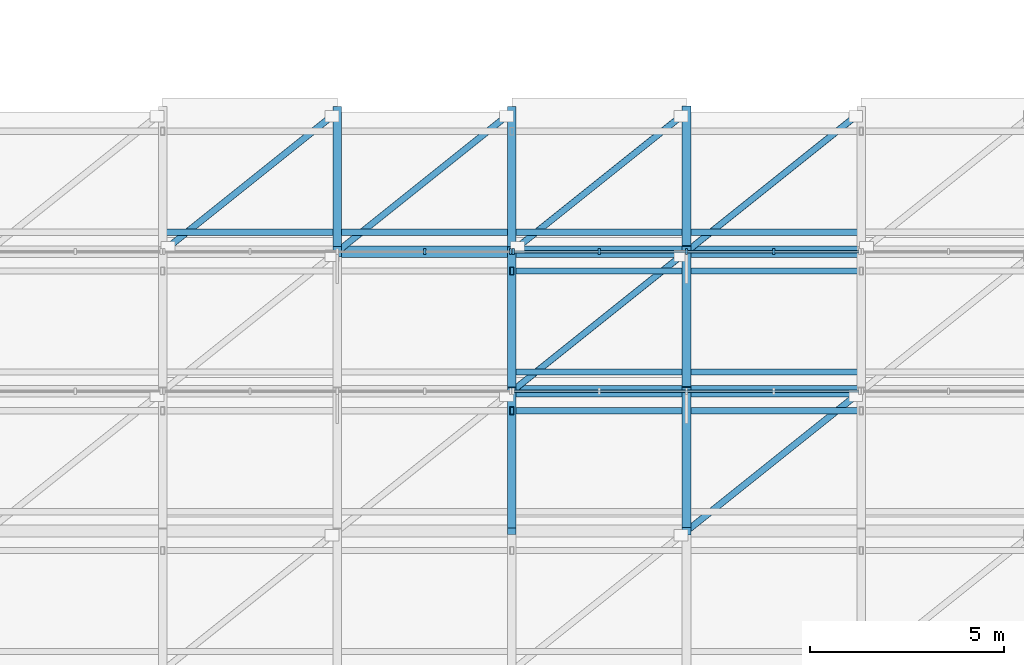
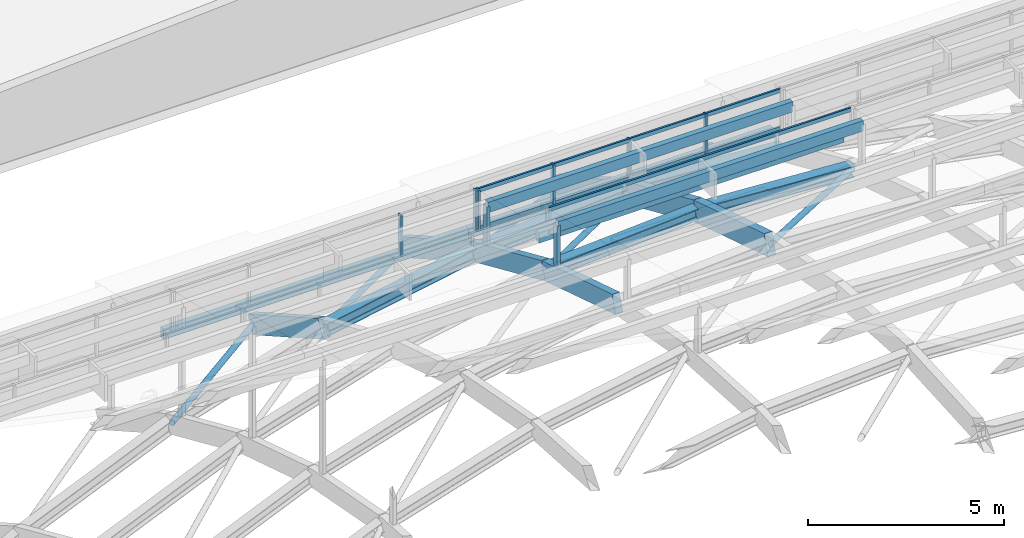
# One storey, part 30 of 69: 23 members, 12 beams, 3 elements without a shape of their own.
"""IFC4 building model written with IfcOpenShell, lengths in metres."""

from ifc_helpers import new_model, si_unit, direction, frame, origin, origin_2d, place, context, subcontext, project, spatial, rectangle, hollow_rectangle, hollow_circle, i_section, extrude, material, layer, layer_set, material_profile, profile_set, type_object, element, aggregate, save


model = new_model("IFC4")

# Units and contexts
model_context = context("Model", 3, precision=1e-05, world=origin(), true_north=direction((0.0, 1.0)))
body_context = subcontext(model_context, "Body", "Model", "MODEL_VIEW")
ifc_project = project(units=[si_unit("LENGTHUNIT", "METRE"), si_unit("AREAUNIT", "SQUARE_METRE"), si_unit("VOLUMEUNIT", "CUBIC_METRE"), si_unit("PLANEANGLEUNIT", "RADIAN"), si_unit("MASSUNIT", "GRAM", prefix="KILO")], contexts=[model_context])

# Site, building, storey
site_placement = place(None, origin())
site = spatial("IfcSite", under=ifc_project, at=site_placement, CompositionType="ELEMENT")
building_placement = place(site_placement, origin())
building = spatial("IfcBuilding", under=site, at=building_placement, Name="Montealbar Specialist Clinic", CompositionType="ELEMENT")
storey_placement = place(building_placement, frame((0.0, 0.0, 9.60009765625)))
storey = spatial("IfcBuildingStorey", under=building, at=storey_placement, Name="L02", CompositionType="ELEMENT", Elevation=9.60009765625)

# Beams
ifc_material_1 = material(Name="Steel S355", Category="steel")
ifc_material_profile_1 = material_profile(ifc_material_1, i_section(OverallWidth=0.300048828125, OverallDepth=0.360107421875, WebThickness=0.012451171875, FlangeThickness=0.0224609375, FilletRadius=0.027099609375, at=origin_2d()), Name="HEB 360", Category="steel")
ifc_profile_set_1 = profile_set([ifc_material_profile_1], Name="Steel S355")
beam_type_1 = type_object("IfcBeamType", Name="BM-GIRD-HEB360-EXT", PredefinedType="BEAM", material=ifc_profile_set_1)
for number, where, z_axis, x_axis, name in (
    (1, (72.0, 73.800048828125, 8.86181640625), (0.998109468696, 0.0, 0.06146127642), (0.0, 1.0, 0.0), "Gridshell Roof Truss Arch Rib X 8-4"),
    (2, (76.5, 73.800048828125, 9.138916015625), (0.998109468696, 0.0, -0.06146127642), (0.0, 1.0, 0.0), "Gridshell Roof Truss Arch Rib X 8-5"),
):
    element("IfcBeam", number, at=place(storey_placement, frame(where, z_axis=z_axis, x_axis=x_axis)), inside=storey, type_object=beam_type_1, Name=name, PredefinedType="BEAM", context=body_context, shape_type="SweptSolid", body=[
        extrude(i_section(OverallWidth=0.300048828125, OverallDepth=0.360107421875, WebThickness=0.012451171875, FlangeThickness=0.0224609375, FilletRadius=0.027099609375, at=origin_2d()), origin(), (0.0, 0.0, 1.0), 4.508544921875),
    ])
ifc_material_profile_2 = material_profile(ifc_material_1, i_section(OverallWidth=0.300048828125, OverallDepth=0.39990234375, WebThickness=0.013427734375, FlangeThickness=0.02392578125, FilletRadius=0.027099609375, at=origin_2d()), Name="HEB 400", Category="steel")
ifc_profile_set_2 = profile_set([ifc_material_profile_2], Name="Steel S355")
beam_type_2 = type_object("IfcBeamType", Name="BM-GIRD-HEB400-EXT", PredefinedType="BEAM", material=ifc_profile_set_2)
beam_1_placement = place(storey_placement, frame((67.5, 77.39990234375, 6.44189453125), z_axis=(0.983332910059, 0.0, 0.181814157849), x_axis=(0.0, 1.0, 0.0)))
element("IfcBeam", 3, at=beam_1_placement, inside=storey, type_object=beam_type_2, Name="Gridshell Roof Truss Arch Rib X 9-3", PredefinedType="BEAM", context=body_context, shape_type="SweptSolid", body=[
    extrude(i_section(OverallWidth=0.300048828125, OverallDepth=0.39990234375, WebThickness=0.013427734375, FlangeThickness=0.02392578125, FilletRadius=0.027099609375, at=origin_2d()), origin(), (0.0, 0.0, 1.0), 4.576171875),
])
for number, where, z_axis, x_axis, name in (
    (4, (72.0, 77.39990234375, 7.27392578125), (0.998112789141, 0.0, 0.061407329801), (0.0, 1.0, 0.0), "Gridshell Roof Truss Arch Rib X 9-4"),
    (5, (76.5, 77.39990234375, 7.55078125), (0.998112789141, 0.0, -0.061407329801), (0.0, 1.0, 0.0), "Gridshell Roof Truss Arch Rib X 9-5"),
):
    element("IfcBeam", number, at=place(storey_placement, frame(where, z_axis=z_axis, x_axis=x_axis)), inside=storey, type_object=beam_type_2, Name=name, PredefinedType="BEAM", context=body_context, shape_type="SweptSolid", body=[
        extrude(i_section(OverallWidth=0.300048828125, OverallDepth=0.39990234375, WebThickness=0.013427734375, FlangeThickness=0.02392578125, FilletRadius=0.027099609375, at=origin_2d()), origin(), (0.0, 0.0, 1.0), 4.508544921875),
    ])
ifc_material_2 = material(Name="Glulam GL28h", Category="wood")
ifc_material_profile_3 = material_profile(ifc_material_2, rectangle(XDim=0.219970703125, YDim=0.56005859375, at=origin_2d()), Name="GL28h 220x560", Category="wood")
ifc_profile_set_3 = profile_set([ifc_material_profile_3], Name="Glulam GL28h")
beam_type_3 = type_object("IfcBeamType", Name="BM-GL-220x560-EXT", PredefinedType="BEAM", material=ifc_profile_set_3)
beam_2_placement = place(storey_placement, frame((67.5, 77.39990234375, 6.44189453125), z_axis=(0.0, 0.869922637782, -0.493188203706), x_axis=(-1.0, 0.0, 0.0)))
element("IfcBeam", 6, at=beam_2_placement, inside=storey, type_object=beam_type_3, Name="Gridshell Glulam Roof Truss Rib Y 3-9", PredefinedType="BEAM", context=body_context, shape_type="SweptSolid", body=[
    extrude(rectangle(XDim=0.219970703125, YDim=0.56005859375, at=origin_2d()), origin(), (0.0, 0.0, 1.0), 4.138427734375),
])
beam_3_placement = place(storey_placement, frame((72.0, 70.199951171875, 9.995849609375), z_axis=(0.0, 0.953798460342, -0.300447161826), x_axis=(-1.0, 0.0, 0.0)))
element("IfcBeam", 7, at=beam_3_placement, inside=storey, type_object=beam_type_3, Name="Gridshell Glulam Roof Truss Rib Y 4-7", PredefinedType="BEAM", context=body_context, shape_type="SweptSolid", body=[
    extrude(rectangle(XDim=0.219970703125, YDim=0.56005859375, at=origin_2d()), origin(), (0.0, 0.0, 1.0), 3.7744140625),
])
beam_4_placement = place(storey_placement, frame((72.0, 73.800048828125, 8.86181640625), z_axis=(0.0, 0.914944084874, -0.403580625841), x_axis=(-1.0, 0.0, 0.0)))
element("IfcBeam", 8, at=beam_4_placement, inside=storey, type_object=beam_type_3, Name="Gridshell Glulam Roof Truss Rib Y 4-8", PredefinedType="BEAM", context=body_context, shape_type="SweptSolid", body=[
    extrude(rectangle(XDim=0.219970703125, YDim=0.56005859375, at=origin_2d()), origin(), (0.0, 0.0, 1.0), 3.9345703125),
])
beam_5_placement = place(storey_placement, frame((72.0, 77.39990234375, 7.27392578125), z_axis=(0.0, 0.869922637782, -0.493188203706), x_axis=(-1.0, 0.0, 0.0)))
element("IfcBeam", 9, at=beam_5_placement, inside=storey, type_object=beam_type_3, Name="Gridshell Glulam Roof Truss Rib Y 4-9", PredefinedType="BEAM", context=body_context, shape_type="SweptSolid", body=[
    extrude(rectangle(XDim=0.219970703125, YDim=0.56005859375, at=origin_2d()), origin(), (0.0, 0.0, 1.0), 4.138427734375),
])
ifc_material_profile_4 = material_profile(ifc_material_2, rectangle(XDim=0.239990234375, YDim=0.639892578125, at=origin_2d()), Name="GL28h 240x640", Category="wood")
ifc_profile_set_4 = profile_set([ifc_material_profile_4], Name="Glulam GL28h")
beam_type_4 = type_object("IfcBeamType", Name="BM-GL-240x640-EXT", PredefinedType="BEAM", material=ifc_profile_set_4)
beam_6_placement = place(storey_placement, frame((76.5, 70.199951171875, 10.27294921875), z_axis=(0.0, 0.953798460342, -0.300447161826), x_axis=(-1.0, 0.0, 0.0)))
element("IfcBeam", 10, at=beam_6_placement, inside=storey, type_object=beam_type_4, Name="Gridshell Glulam Roof Truss Rib Y 5-7", PredefinedType="BEAM", context=body_context, shape_type="SweptSolid", body=[
    extrude(rectangle(XDim=0.239990234375, YDim=0.639892578125, at=origin_2d()), origin(), (0.0, 0.0, 1.0), 3.7744140625),
])
beam_7_placement = place(storey_placement, frame((76.5, 73.800048828125, 9.138916015625), z_axis=(0.0, 0.914921171359, -0.403632568307), x_axis=(-1.0, 0.0, 0.0)))
element("IfcBeam", 11, at=beam_7_placement, inside=storey, type_object=beam_type_4, Name="Gridshell Glulam Roof Truss Rib Y 5-8", PredefinedType="BEAM", context=body_context, shape_type="SweptSolid", body=[
    extrude(rectangle(XDim=0.239990234375, YDim=0.639892578125, at=origin_2d()), origin(), (0.0, 0.0, 1.0), 3.9345703125),
])
beam_8_placement = place(storey_placement, frame((76.5, 77.39990234375, 7.55078125), z_axis=(0.0, 0.869947947814, -0.493143557288), x_axis=(-1.0, 0.0, 0.0)))
element("IfcBeam", 12, at=beam_8_placement, inside=storey, type_object=beam_type_4, Name="Gridshell Glulam Roof Truss Rib Y 5-9", PredefinedType="BEAM", context=body_context, shape_type="SweptSolid", body=[
    extrude(rectangle(XDim=0.239990234375, YDim=0.639892578125, at=origin_2d()), origin(), (0.0, 0.0, 1.0), 4.13818359375),
])

# Curtain wall, members
ifc_material_3 = material(Name="Low-E double glazing", Category="glass")
ifc_layer_1 = layer(ifc_material_3, 0.199951171875, Name="Low-E double glazing", Category="glass")
ifc_layer_set_1 = layer_set([ifc_layer_1], Name="Low-E double glazing")
curtain_wall_type_1 = type_object("IfcCurtainWallType", Name="CW-TYPE-47", PredefinedType="NOTDEFINED", material=ifc_layer_set_1)
curtain_wall_1_placement = place(storey_placement, origin())
curtain_wall_1 = element("IfcCurtainWall", 13, at=curtain_wall_1_placement, inside=storey, type_object=curtain_wall_type_1, Name="Unitised Curtain Wall CW-L02-630-774-720-774-175", PredefinedType="NOTDEFINED")
ifc_material_4 = material(Name="Anodised aluminium EN AW-6063", Category="aluminium")
ifc_material_profile_5 = material_profile(ifc_material_4, rectangle(XDim=0.06005859375, YDim=0.159912109375, at=origin_2d()), Name="ALU 60x160", Category="aluminium")
ifc_profile_set_5 = profile_set([ifc_material_profile_5], Name="Anodised aluminium EN AW-6063")
member_type_1 = type_object("IfcMemberType", Name="CW-MUL-160", PredefinedType="MULLION", material=ifc_profile_set_5)
member_1_placement = place(storey_placement, frame((69.75, 77.39990234375, 7.933837890625), z_axis=(0.0, 0.0, 1.0), x_axis=(1.0, 0.0, 0.0)))
member_1 = element("IfcMember", 14, at=member_1_placement, type_object=member_type_1, Name="Curtain Wall Mullion CW-L02-630-774-720-774-175-03", PredefinedType="MULLION", context=body_context, shape_type="SweptSolid", body=[
    extrude(rectangle(XDim=0.06005859375, YDim=0.159912109375, at=origin_2d()), origin(), (0.0, 0.0, 1.0), 1.257080078125),
])
member_2_placement = place(storey_placement, frame((71.965087890625, 77.39990234375, 7.933837890625), z_axis=(0.0, 0.0, 1.0), x_axis=(1.0, 0.0, 0.0)))
member_2 = element("IfcMember", 15, at=member_2_placement, type_object=member_type_1, Name="Curtain Wall Mullion CW-L02-630-774-720-774-175-04", PredefinedType="MULLION", context=body_context, shape_type="SweptSolid", body=[
    extrude(rectangle(XDim=0.06005859375, YDim=0.159912109375, at=origin_2d()), origin(), (0.0, 0.0, 1.0), 1.257080078125),
])
aggregate(curtain_wall_1, [member_1, member_2])

curtain_wall_2_placement = place(storey_placement, origin())
curtain_wall_2 = element("IfcCurtainWall", 16, at=curtain_wall_2_placement, inside=storey, type_object=curtain_wall_type_1, Name="Unitised Curtain Wall CW-L02-720-774-810-774-175", PredefinedType="NOTDEFINED")
member_3_placement = place(storey_placement, frame((72.034912109375, 77.39990234375, 7.933837890625), z_axis=(0.0, 0.0, 1.0), x_axis=(1.0, 0.0, 0.0)))
member_3 = element("IfcMember", 17, at=member_3_placement, type_object=member_type_1, Name="Curtain Wall Mullion CW-L02-720-774-810-774-175-00", PredefinedType="MULLION", context=body_context, shape_type="SweptSolid", body=[
    extrude(rectangle(XDim=0.06005859375, YDim=0.159912109375, at=origin_2d()), origin(), (0.0, 0.0, 1.0), 1.257080078125),
])
member_4_placement = place(storey_placement, frame((74.25, 77.39990234375, 7.933837890625), z_axis=(0.0, 0.0, 1.0), x_axis=(1.0, 0.0, 0.0)))
member_4 = element("IfcMember", 18, at=member_4_placement, type_object=member_type_1, Name="Curtain Wall Mullion CW-L02-720-774-810-774-175-01", PredefinedType="MULLION", context=body_context, shape_type="SweptSolid", body=[
    extrude(rectangle(XDim=0.06005859375, YDim=0.159912109375, at=origin_2d()), origin(), (0.0, 0.0, 1.0), 1.257080078125),
])
member_5_placement = place(storey_placement, frame((76.5, 77.39990234375, 7.933837890625), z_axis=(0.0, 0.0, 1.0), x_axis=(1.0, 0.0, 0.0)))
member_5 = element("IfcMember", 19, at=member_5_placement, type_object=member_type_1, Name="Curtain Wall Mullion CW-L02-720-774-810-774-175-02", PredefinedType="MULLION", context=body_context, shape_type="SweptSolid", body=[
    extrude(rectangle(XDim=0.06005859375, YDim=0.159912109375, at=origin_2d()), origin(), (0.0, 0.0, 1.0), 1.257080078125),
])
member_6_placement = place(storey_placement, frame((78.75, 77.39990234375, 7.933837890625), z_axis=(0.0, 0.0, 1.0), x_axis=(1.0, 0.0, 0.0)))
member_6 = element("IfcMember", 20, at=member_6_placement, type_object=member_type_1, Name="Curtain Wall Mullion CW-L02-720-774-810-774-175-03", PredefinedType="MULLION", context=body_context, shape_type="SweptSolid", body=[
    extrude(rectangle(XDim=0.06005859375, YDim=0.159912109375, at=origin_2d()), origin(), (0.0, 0.0, 1.0), 1.257080078125),
])

ifc_layer_2 = layer(ifc_material_3, 0.199951171875, Name="Low-E double glazing", Category="glass")
ifc_layer_set_2 = layer_set([ifc_layer_2], Name="Low-E double glazing")
curtain_wall_type_2 = type_object("IfcCurtainWallType", Name="CW-TYPE-48", PredefinedType="NOTDEFINED", material=ifc_layer_set_2)
curtain_wall_3_placement = place(storey_placement, origin())
curtain_wall_3 = element("IfcCurtainWall", 21, at=curtain_wall_3_placement, inside=storey, type_object=curtain_wall_type_2, Name="Unitised Curtain Wall CW-L02-720-738-810-738-196", PredefinedType="NOTDEFINED")
ifc_material_5 = material(Name="Powder-coated aluminium", Category="aluminium")
ifc_material_profile_6 = material_profile(ifc_material_5, rectangle(XDim=0.06005859375, YDim=0.1201171875, at=origin_2d()), Name="ALU 60x120", Category="aluminium")
ifc_profile_set_6 = profile_set([ifc_material_profile_6], Name="Powder-coated aluminium")
member_type_2 = type_object("IfcMemberType", Name="CW-TRN-120", PredefinedType="USERDEFINED", material=ifc_profile_set_6)
member_7_placement = place(storey_placement, frame((72.050048828125, 73.800048828125, 10.014892578125), z_axis=(1.0, 0.0, 0.0), x_axis=(0.0, 1.0, 0.0)))
member_7 = element("IfcMember", 22, at=member_7_placement, type_object=member_type_2, Name="Curtain Wall Transom CW-L02-720-738-810-738-196-00", ObjectType="TRANSOM", PredefinedType="USERDEFINED", context=body_context, shape_type="SweptSolid", body=[
    extrude(rectangle(XDim=0.06005859375, YDim=0.1201171875, at=origin_2d()), origin(), (0.0, 0.0, 1.0), 8.89990234375),
])
member_8_placement = place(storey_placement, frame((72.050048828125, 73.800048828125, 10.739013671875), z_axis=(1.0, 0.0, 0.0), x_axis=(0.0, 1.0, 0.0)))
member_8 = element("IfcMember", 23, at=member_8_placement, type_object=member_type_2, Name="Curtain Wall Transom CW-L02-720-738-810-738-196-01", ObjectType="TRANSOM", PredefinedType="USERDEFINED", context=body_context, shape_type="SweptSolid", body=[
    extrude(rectangle(XDim=0.06005859375, YDim=0.1201171875, at=origin_2d()), origin(), (0.0, 0.0, 1.0), 8.89990234375),
])
aggregate(curtain_wall_3, [member_7, member_8])

# Member
member_9_placement = place(storey_placement, frame((72.050048828125, 77.39990234375, 7.973876953125), z_axis=(1.0, 0.0, 0.0), x_axis=(0.0, 1.0, 0.0)))
member_9 = element("IfcMember", 24, at=member_9_placement, type_object=member_type_2, Name="Curtain Wall Transom CW-L02-720-774-810-774-175-00", ObjectType="TRANSOM", PredefinedType="USERDEFINED", context=body_context, shape_type="SweptSolid", body=[
    extrude(rectangle(XDim=0.06005859375, YDim=0.1201171875, at=origin_2d()), origin(), (0.0, 0.0, 1.0), 8.89990234375),
])

member_10_placement = place(storey_placement, frame((72.050048828125, 77.39990234375, 9.15087890625), z_axis=(1.0, 0.0, 0.0), x_axis=(0.0, 1.0, 0.0)))
member_10 = element("IfcMember", 25, at=member_10_placement, type_object=member_type_2, Name="Curtain Wall Transom CW-L02-720-774-810-774-175-01", ObjectType="TRANSOM", PredefinedType="USERDEFINED", context=body_context, shape_type="SweptSolid", body=[
    extrude(rectangle(XDim=0.06005859375, YDim=0.1201171875, at=origin_2d()), origin(), (0.0, 0.0, 1.0), 8.89990234375),
])

aggregate(curtain_wall_2, [member_3, member_4, member_5, member_6, member_9, member_10])

# Members
ifc_material_profile_7 = material_profile(ifc_material_1, hollow_circle(Radius=0.084228515625, WallThickness=0.008056640625, at=origin_2d()), Name="CHS 168.3x8.0", Category="steel")
ifc_profile_set_7 = profile_set([ifc_material_profile_7], Name="Steel S355")
member_type_3 = type_object("IfcMemberType", Name="MB-GS-DIAG-EXT", PredefinedType="BRACE", material=ifc_profile_set_7)
member_11_placement = place(storey_placement, frame((63.0, 77.39990234375, 5.055908203125), z_axis=(0.775864761499, 0.620708646542, -0.112936477599), x_axis=(-0.624705380279, 0.780860543151, 0.0)))
element("IfcMember", 26, at=member_11_placement, inside=storey, type_object=member_type_3, Name="Gridshell Roof Brace 2-9", PredefinedType="BRACE", context=body_context, shape_type="SweptSolid", body=[
    extrude(hollow_circle(Radius=0.084228515625, WallThickness=0.008056640625, at=origin_2d()), origin(), (0.0, 0.0, 1.0), 5.800048828125),
])
member_12_placement = place(storey_placement, frame((67.5, 77.39990234375, 6.44189453125), z_axis=(0.764224396449, 0.61139610189, -0.205318967622), x_axis=(-0.624705380279, 0.780860543151, 0.0)))
element("IfcMember", 27, at=member_12_placement, inside=storey, type_object=member_type_3, Name="Gridshell Roof Brace 3-9", PredefinedType="BRACE", context=body_context, shape_type="SweptSolid", body=[
    extrude(hollow_circle(Radius=0.084228515625, WallThickness=0.008056640625, at=origin_2d()), origin(), (0.0, 0.0, 1.0), 5.888427734375),
])
member_13_placement = place(storey_placement, frame((72.0, 73.800048828125, 8.86181640625), z_axis=(0.761425041957, 0.609115247594, -0.22183444419), x_axis=(-0.624679547852, 0.780881208953, 0.0)))
element("IfcMember", 28, at=member_13_placement, inside=storey, type_object=member_type_3, Name="Gridshell Roof Brace 4-8", PredefinedType="BRACE", context=body_context, shape_type="SweptSolid", body=[
    extrude(hollow_circle(Radius=0.084228515625, WallThickness=0.008056640625, at=origin_2d()), origin(), (0.0, 0.0, 1.0), 5.909912109375),
])
member_14_placement = place(storey_placement, frame((72.0, 77.39990234375, 7.27392578125), z_axis=(0.746667110706, 0.597349892278, -0.292679572203), x_axis=(-0.624705380279, 0.780860543151, 0.0)))
element("IfcMember", 29, at=member_14_placement, inside=storey, type_object=member_type_3, Name="Gridshell Roof Brace 4-9", PredefinedType="BRACE", context=body_context, shape_type="SweptSolid", body=[
    extrude(hollow_circle(Radius=0.084228515625, WallThickness=0.008056640625, at=origin_2d()), origin(), (0.0, 0.0, 1.0), 6.02685546875),
])
member_15_placement = place(storey_placement, frame((76.5, 70.199951171875, 10.27294921875), z_axis=(0.75845330993, 0.606779107434, -0.237839633865), x_axis=(-0.624705380279, 0.780860543151, 0.0)))
element("IfcMember", 30, at=member_15_placement, inside=storey, type_object=member_type_3, Name="Gridshell Roof Brace 5-7", PredefinedType="BRACE", context=body_context, shape_type="SweptSolid", body=[
    extrude(hollow_circle(Radius=0.084228515625, WallThickness=0.008056640625, at=origin_2d()), origin(), (0.0, 0.0, 1.0), 5.93310546875),
])
member_16_placement = place(storey_placement, frame((76.5, 77.39990234375, 7.55078125), z_axis=(0.724458021427, 0.579582138887, -0.373155623667), x_axis=(-0.624705380279, 0.780860543151, 0.0)))
element("IfcMember", 31, at=member_16_placement, inside=storey, type_object=member_type_3, Name="Gridshell Roof Brace 5-9", PredefinedType="BRACE", context=body_context, shape_type="SweptSolid", body=[
    extrude(hollow_circle(Radius=0.084228515625, WallThickness=0.008056640625, at=origin_2d()), origin(), (0.0, 0.0, 1.0), 6.21142578125),
])
ifc_material_profile_8 = material_profile(ifc_material_2, rectangle(XDim=0.159912109375, YDim=0.320068359375, at=origin_2d()), Name="GL28h 160x320", Category="wood")
ifc_profile_set_8 = profile_set([ifc_material_profile_8], Name="Glulam GL28h")
member_type_4 = type_object("IfcMemberType", Name="MB-GS-PURLIN-GL-EXT", PredefinedType="PURLIN", material=ifc_profile_set_8)
for number, where, z_axis, x_axis, name in (
    (32, (72.0, 73.300048828125, 10.553955078125), (1.0, 0.0, 0.0), (0.0, 1.0, 0.0), "Gridshell Glulam Purlin 8-3-2"),
    (33, (72.0, 74.300048828125, 9.58984375), (1.0, 0.0, 0.0), (0.0, 1.0, 0.0), "Gridshell Glulam Purlin 9-3-1"),
    (34, (72.0, 76.89990234375, 8.9658203125), (1.0, 0.0, 0.0), (0.0, 1.0, 0.0), "Gridshell Glulam Purlin 9-3-2"),
    (35, (63.0, 77.89990234375, 7.548828125), (1.0, 0.0, 0.0), (0.0, 1.0, 0.0), "Gridshell Glulam Purlin 10-2-1"),
    (36, (72.0, 77.89990234375, 7.548828125), (1.0, 0.0, 0.0), (0.0, 1.0, 0.0), "Gridshell Glulam Purlin 10-3-1"),
):
    element("IfcMember", number, at=place(storey_placement, frame(where, z_axis=z_axis, x_axis=x_axis)), inside=storey, type_object=member_type_4, Name=name, PredefinedType="PURLIN", context=body_context, shape_type="SweptSolid", body=[
        extrude(rectangle(XDim=0.159912109375, YDim=0.320068359375, at=origin_2d()), origin(), (0.0, 0.0, 1.0), 9.0),
    ])
ifc_material_profile_9 = material_profile(ifc_material_1, hollow_rectangle(XDim=0.10009765625, YDim=0.199951171875, WallThickness=0.008056640625, at=origin_2d()), Name="RHS 200x100x8", Category="steel")
ifc_profile_set_9 = profile_set([ifc_material_profile_9], Name="Steel S355")
member_type_5 = type_object("IfcMemberType", Name="MB-GS-PURLIN-ST-EXT", PredefinedType="PURLIN", material=ifc_profile_set_9)
member_17_placement = place(storey_placement, frame((72.0, 73.300048828125, 8.86181640625), z_axis=(0.0, 0.0, 1.0), x_axis=(1.0, 0.0, 0.0)))
element("IfcMember", 37, at=member_17_placement, inside=storey, type_object=member_type_5, Name="Gridshell Monitor Post 8-4", PredefinedType="PURLIN", context=body_context, shape_type="SweptSolid", body=[
    extrude(hollow_rectangle(XDim=0.10009765625, YDim=0.199951171875, WallThickness=0.008056640625, at=origin_2d()), origin(), (0.0, 0.0, 1.0), 1.734130859375),
])
member_18_placement = place(storey_placement, frame((72.0, 76.89990234375, 7.27392578125), z_axis=(0.0, 0.0, 1.0), x_axis=(1.0, 0.0, 0.0)))
element("IfcMember", 38, at=member_18_placement, inside=storey, type_object=member_type_5, Name="Gridshell Monitor Post 9-4", PredefinedType="PURLIN", context=body_context, shape_type="SweptSolid", body=[
    extrude(hollow_rectangle(XDim=0.10009765625, YDim=0.199951171875, WallThickness=0.008056640625, at=origin_2d()), origin(), (0.0, 0.0, 1.0), 1.73388671875),
])

save(model, "model.ifc")
